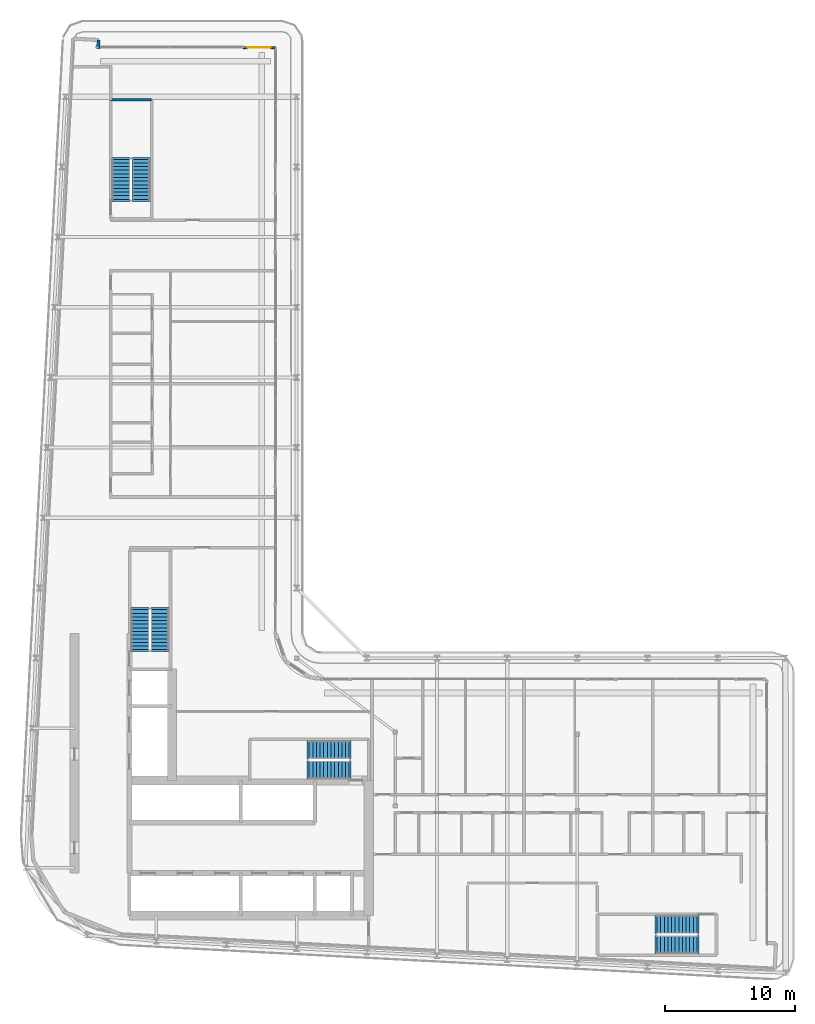
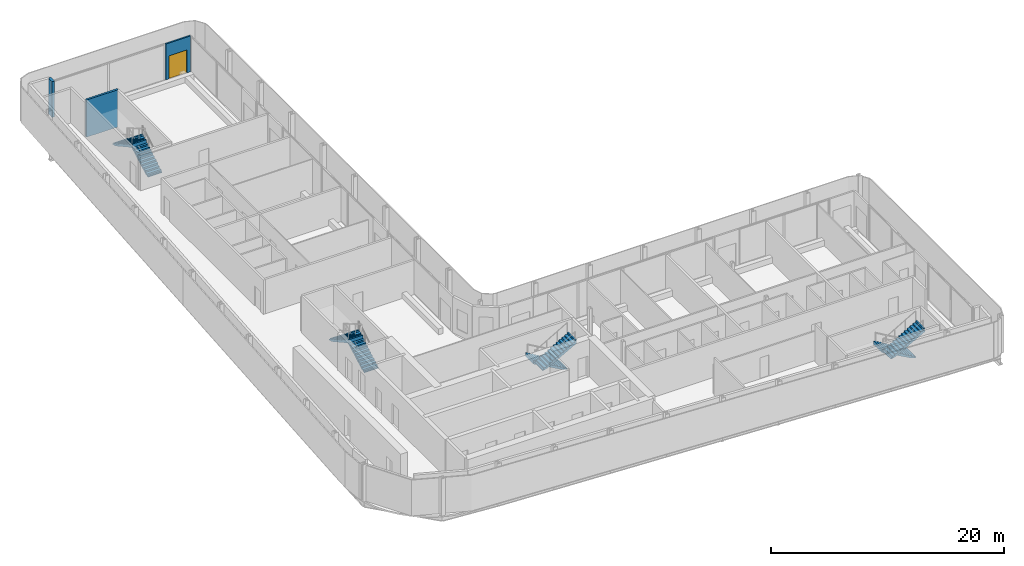
# One storey, part 14 of 21: 8 stair flights, 3 walls, 1 door, 1 opening, 4 elements without a shape of their own.
"""IFC4 building model written with IfcOpenShell, lengths in metres."""

from ifc_helpers import new_model, si_unit, direction, frame, frame_2d, origin, place, context, subcontext, project, spatial, polyline, rectangle, outline, extrude, source, transform, mapped, material, layer, layer_set, type_object, element, fill, aggregate, save


model = new_model("IFC4")

# Units and contexts
model_context = context("Model", 3, precision=1e-05, world=origin(), true_north=direction((0.0, 1.0)))
body_context = subcontext(model_context, "Body", "Model", "MODEL_VIEW")
ifc_project = project(units=[si_unit("LENGTHUNIT", "METRE"), si_unit("AREAUNIT", "SQUARE_METRE"), si_unit("VOLUMEUNIT", "CUBIC_METRE"), si_unit("PLANEANGLEUNIT", "RADIAN"), si_unit("MASSUNIT", "GRAM", prefix="KILO")], contexts=[model_context])

# Site, building, storey
site_placement = place(None, origin())
site = spatial("IfcSite", under=ifc_project, at=site_placement, CompositionType="ELEMENT")
building_placement = place(site_placement, origin())
building = spatial("IfcBuilding", under=site, at=building_placement, Name="Kheshtan School and Residences Tower", CompositionType="ELEMENT")
storey_placement = place(building_placement, frame((0.0, 0.0, 231.800048828125)))
storey = spatial("IfcBuildingStorey", under=building, at=storey_placement, Name="L54", CompositionType="ELEMENT", Elevation=231.800048828125)

# Wall
ifc_material_1 = material(Name="Concrete C40/50 with ceramic cladding and mineral wool insulation", Category="concrete")
ifc_layer_1 = layer(ifc_material_1, 0.25)
ifc_layer_set_1 = layer_set([ifc_layer_1], Name="External wall 250 ceramic clad")
wall_type_1 = type_object("IfcWallType", Name="External wall 250 ceramic clad", PredefinedType="SOLIDWALL", material=ifc_layer_set_1)
wall_1_placement = place(storey_placement, frame((32.368896484375, 93.159912109375, 0.0), z_axis=(0.0, 0.0, 1.0), x_axis=(-0.053729014033, -0.998555553312, 0.0)))
element("IfcWall", 1, at=wall_1_placement, inside=storey, type_object=wall_type_1, Name="External wall L54 2", PredefinedType="SOLIDWALL", context=body_context, shape_type="SweptSolid", body=[
    extrude(rectangle(XDim=0.66796875, YDim=0.25, at=frame_2d((0.333984375, 0.0))), origin(), (0.0, 0.0, 1.0), 3.75),
])

# Wall, opening, door
ifc_material_2 = material(Name="Aluminium frame wall with insulated infill", Category="aluminium")
ifc_layer_2 = layer(ifc_material_2, 0.14990234375)
ifc_layer_set_2 = layer_set([ifc_layer_2], Name="Glazing frame wall 150")
wall_type_2 = type_object("IfcWallType", Name="Glazing frame wall 150", PredefinedType="SOLIDWALL", material=ifc_layer_set_2)
wall_2_placement = place(storey_placement, frame((43.5, 92.574951171875, 0.0), z_axis=(0.0, 0.0, 1.0), x_axis=(1.0, 0.0, 0.0)))
wall_2 = element("IfcWall", 2, at=wall_2_placement, inside=storey, type_object=wall_type_2, Name="Balcony door wall L54 3.1", PredefinedType="SOLIDWALL", context=body_context, shape_type="SweptSolid", body=[
    extrude(rectangle(XDim=2.470947265625, YDim=0.14990234375, at=frame_2d((1.2353515625, 0.0))), origin(), (0.0, 0.0, 1.0), 3.75),
])
opening_placement = place(wall_2_placement, frame((0.300048828125, 0.0, 0.0)))
opening = element("IfcOpeningElement", 3, at=opening_placement, cuts=wall_2, Name="Opening BD", PredefinedType="OPENING", context=body_context, shape_type="SweptSolid", body=[
    extrude(rectangle(XDim=1.800048828125, YDim=2.39990234375, at=frame_2d((0.89990234375, 1.199951171875))), frame((0.0, 0.0849609375, 0.0), z_axis=(0.0, -1.0, 0.0), x_axis=(1.0, 0.0, 0.0)), (0.0, 0.0, 1.0), 0.169921875),
])
ifc_material_3 = material(Name="Clear low-e glass in thermally broken aluminium frame", Category="aluminium")
door_type = type_object("IfcDoorType", Name="Balcony sliding door", OperationType="SLIDING_TO_LEFT", PredefinedType="DOOR", material=ifc_material_3)
shared_shape = source(origin(), body_context, "Body", "SweptSolid", [
    extrude(rectangle(XDim=1.800048828125, YDim=2.39990234375, at=frame_2d((0.89990234375, 1.199951171875))), frame((0.0, 0.02490234375, 0.0), z_axis=(0.0, -1.0, 0.0), x_axis=(1.0, 0.0, 0.0)), (0.0, 0.0, 1.0), 0.050048828125),
])
door_placement = place(opening_placement, origin())
door = element("IfcDoor", 4, at=door_placement, inside=storey, type_object=door_type, Name="Balcony door L54 3.1", OperationType="SLIDING_TO_LEFT", OverallHeight=2.39990234375, OverallWidth=1.800048828125, PredefinedType="DOOR", context=body_context, shape_type="MappedRepresentation", body=[
    mapped(shared_shape, transform((0.0, 0.0, 0.0), x_axis=(1.0, 0.0, 0.0), y_axis=(0.0, 1.0, 0.0), z_axis=(0.0, 0.0, 1.0), scale=1.0)),
])
fill(opening, door)

# Wall
ifc_material_4 = material(Name="Concrete C40/50", Category="concrete")
ifc_layer_3 = layer(ifc_material_4, 0.199951171875)
ifc_layer_set_3 = layer_set([ifc_layer_3], Name="Stair enclosure wall 200 Concrete C40/50")
wall_type_3 = type_object("IfcWallType", Name="Stair enclosure wall 200 Concrete C40/50", PredefinedType="SHEAR", material=ifc_layer_set_3)
wall_3_placement = place(storey_placement, frame((33.300048828125, 88.56005859375, 0.0), z_axis=(0.0, 0.0, 1.0), x_axis=(1.0, 0.0, 0.0)))
element("IfcWall", 5, at=wall_3_placement, inside=storey, type_object=wall_type_3, Name="Stair enclosure wall ST3", PredefinedType="SHEAR", context=body_context, shape_type="SweptSolid", body=[
    extrude(rectangle(XDim=3.14990234375, YDim=0.199951171875, at=frame_2d((1.574951171875, 0.0))), origin(), (0.0, 0.0, 1.0), 3.89990234375),
])

# Stair, stair flights
stair_type = type_object("IfcStairType", Name="Exit stair, half-turn", PredefinedType="HALF_TURN_STAIR", material=ifc_material_4)
stair_1_placement = place(storey_placement, origin())
stair_1 = element("IfcStair", 6, at=stair_1_placement, inside=storey, type_object=stair_type, Name="L54 Protected Exit Stair ST1", PredefinedType="HALF_TURN_STAIR")
ifc_layer_4 = layer(ifc_material_4, 0.14990234375)
ifc_layer_set_4 = layer_set([ifc_layer_4], Name="Stair flight 1400 Concrete C40/50")
stair_flight_type = type_object("IfcStairFlightType", Name="Stair flight 1400 Concrete C40/50", PredefinedType="STRAIGHT", material=ifc_layer_set_4)
stair_flight_1_placement = place(storey_placement, frame((51.64990234375, 38.550048828125, 0.0), z_axis=(0.0, 0.0, 1.0), x_axis=(-1.0, 0.0, 0.0)))
stair_flight_1 = element("IfcStairFlight", 7, at=stair_flight_1_placement, type_object=stair_flight_type, Name="ST1 flight 1", NumberOfRisers=12, NumberOfTreads=11, PredefinedType="STRAIGHT", RiserHeight=0.1625, TreadLength=0.28, context=body_context, shape_type="SweptSolid", body=[
    extrude(outline(polyline([(-0.14990234375, -0.10009765625), (-0.14990234375, 0.0), (0.0, 0.0), (0.0, 0.16259765625), (0.280029296875, 0.16259765625), (0.280029296875, 0.324951171875), (0.56005859375, 0.324951171875), (0.56005859375, 0.487548828125), (0.840087890625, 0.487548828125), (0.840087890625, 0.64990234375), (1.1201171875, 0.64990234375), (1.1201171875, 0.8125), (1.39990234375, 0.8125), (1.39990234375, 0.97509765625), (1.679931640625, 0.97509765625), (1.679931640625, 1.137451171875), (1.9599609375, 1.137451171875), (1.9599609375, 1.300048828125), (2.239990234375, 1.300048828125), (2.239990234375, 1.46240234375), (2.52001953125, 1.46240234375), (2.52001953125, 1.625), (2.800048828125, 1.625), (2.800048828125, 1.78759765625), (3.080078125, 1.78759765625), (3.080078125, 1.949951171875), (3.080078125, 1.969970703125), (3.22998046875, 1.969970703125), (3.22998046875, 1.6142578125), (0.298583984375, 0.0), (-0.14990234375, -0.10009765625)])), frame((0.0, 0.699951171875, 0.0), z_axis=(0.0, -1.0, 0.0), x_axis=(1.0, 0.0, 0.0)), (0.0, 0.0, 1.0), 1.39990234375),
])
stair_flight_2_placement = place(storey_placement, frame((48.570068359375, 37.0, 1.949951171875), z_axis=(0.0, 0.0, 1.0), x_axis=(1.0, 0.0, 0.0)))
stair_flight_2 = element("IfcStairFlight", 8, at=stair_flight_2_placement, type_object=stair_flight_type, Name="ST1 flight 2", NumberOfRisers=12, NumberOfTreads=11, PredefinedType="STRAIGHT", RiserHeight=0.1625, TreadLength=0.28, context=body_context, shape_type="SweptSolid", body=[
    extrude(outline(polyline([(-0.14990234375, -0.10009765625), (-0.14990234375, 0.0), (0.0, 0.0), (0.0, 0.16259765625), (0.280029296875, 0.16259765625), (0.280029296875, 0.324951171875), (0.56005859375, 0.324951171875), (0.56005859375, 0.487548828125), (0.840087890625, 0.487548828125), (0.840087890625, 0.64990234375), (1.1201171875, 0.64990234375), (1.1201171875, 0.8125), (1.39990234375, 0.8125), (1.39990234375, 0.97509765625), (1.679931640625, 0.97509765625), (1.679931640625, 1.137451171875), (1.9599609375, 1.137451171875), (1.9599609375, 1.300048828125), (2.239990234375, 1.300048828125), (2.239990234375, 1.46240234375), (2.52001953125, 1.46240234375), (2.52001953125, 1.625), (2.800048828125, 1.625), (2.800048828125, 1.78759765625), (3.080078125, 1.78759765625), (3.080078125, 1.949951171875), (3.080078125, 1.969970703125), (3.22998046875, 1.969970703125), (3.22998046875, 1.6142578125), (0.298583984375, 0.0), (-0.14990234375, -0.10009765625)])), frame((0.0, 0.699951171875, 0.0), z_axis=(0.0, -1.0, 0.0), x_axis=(1.0, 0.0, 0.0)), (0.0, 0.0, 1.0), 1.39990234375),
])
aggregate(stair_1, [stair_flight_1, stair_flight_2])

stair_2_placement = place(storey_placement, origin())
stair_2 = element("IfcStair", 9, at=stair_2_placement, inside=storey, type_object=stair_type, Name="L54 Protected Exit Stair ST2", PredefinedType="HALF_TURN_STAIR")
stair_flight_3_placement = place(storey_placement, frame((37.10009765625, 46.25, 0.0), z_axis=(0.0, 0.0, 1.0), x_axis=(0.0, 1.0, 0.0)))
stair_flight_3 = element("IfcStairFlight", 10, at=stair_flight_3_placement, type_object=stair_flight_type, Name="ST2 flight 1", NumberOfRisers=12, NumberOfTreads=11, PredefinedType="STRAIGHT", RiserHeight=0.1625, TreadLength=0.28, context=body_context, shape_type="SweptSolid", body=[
    extrude(outline(polyline([(-0.14990234375, -0.10009765625), (-0.14990234375, 0.0), (0.0, 0.0), (0.0, 0.16259765625), (0.280029296875, 0.16259765625), (0.280029296875, 0.324951171875), (0.56005859375, 0.324951171875), (0.56005859375, 0.487548828125), (0.840087890625, 0.487548828125), (0.840087890625, 0.64990234375), (1.1201171875, 0.64990234375), (1.1201171875, 0.8125), (1.39990234375, 0.8125), (1.39990234375, 0.97509765625), (1.679931640625, 0.97509765625), (1.679931640625, 1.137451171875), (1.9599609375, 1.137451171875), (1.9599609375, 1.300048828125), (2.239990234375, 1.300048828125), (2.239990234375, 1.46240234375), (2.52001953125, 1.46240234375), (2.52001953125, 1.625), (2.800048828125, 1.625), (2.800048828125, 1.78759765625), (3.080078125, 1.78759765625), (3.080078125, 1.949951171875), (3.080078125, 1.969970703125), (3.22998046875, 1.969970703125), (3.22998046875, 1.6142578125), (0.298583984375, 0.0), (-0.14990234375, -0.10009765625)])), frame((0.0, 0.699951171875, 0.0), z_axis=(0.0, -1.0, 0.0), x_axis=(1.0, 0.0, 0.0)), (0.0, 0.0, 1.0), 1.39990234375),
])
stair_flight_4_placement = place(storey_placement, frame((35.550048828125, 49.330078125, 1.949951171875), z_axis=(0.0, 0.0, 1.0), x_axis=(0.0, -1.0, 0.0)))
stair_flight_4 = element("IfcStairFlight", 11, at=stair_flight_4_placement, type_object=stair_flight_type, Name="ST2 flight 2", NumberOfRisers=12, NumberOfTreads=11, PredefinedType="STRAIGHT", RiserHeight=0.1625, TreadLength=0.28, context=body_context, shape_type="SweptSolid", body=[
    extrude(outline(polyline([(-0.14990234375, -0.10009765625), (-0.14990234375, 0.0), (0.0, 0.0), (0.0, 0.16259765625), (0.280029296875, 0.16259765625), (0.280029296875, 0.324951171875), (0.56005859375, 0.324951171875), (0.56005859375, 0.487548828125), (0.840087890625, 0.487548828125), (0.840087890625, 0.64990234375), (1.1201171875, 0.64990234375), (1.1201171875, 0.8125), (1.39990234375, 0.8125), (1.39990234375, 0.97509765625), (1.679931640625, 0.97509765625), (1.679931640625, 1.137451171875), (1.9599609375, 1.137451171875), (1.9599609375, 1.300048828125), (2.239990234375, 1.300048828125), (2.239990234375, 1.46240234375), (2.52001953125, 1.46240234375), (2.52001953125, 1.625), (2.800048828125, 1.625), (2.800048828125, 1.78759765625), (3.080078125, 1.78759765625), (3.080078125, 1.949951171875), (3.080078125, 1.969970703125), (3.22998046875, 1.969970703125), (3.22998046875, 1.6142578125), (0.298583984375, 0.0), (-0.14990234375, -0.10009765625)])), frame((0.0, 0.699951171875, 0.0), z_axis=(0.0, -1.0, 0.0), x_axis=(1.0, 0.0, 0.0)), (0.0, 0.0, 1.0), 1.39990234375),
])
aggregate(stair_2, [stair_flight_3, stair_flight_4])

stair_3_placement = place(storey_placement, origin())
stair_3 = element("IfcStair", 12, at=stair_3_placement, inside=storey, type_object=stair_type, Name="L54 Protected Exit Stair ST3", PredefinedType="HALF_TURN_STAIR")
stair_flight_5_placement = place(storey_placement, frame((35.64990234375, 80.89990234375, 0.0), z_axis=(0.0, 0.0, 1.0), x_axis=(0.0, 1.0, 0.0)))
stair_flight_5 = element("IfcStairFlight", 13, at=stair_flight_5_placement, type_object=stair_flight_type, Name="ST3 flight 1", NumberOfRisers=12, NumberOfTreads=11, PredefinedType="STRAIGHT", RiserHeight=0.1625, TreadLength=0.28, context=body_context, shape_type="SweptSolid", body=[
    extrude(outline(polyline([(-0.14990234375, -0.10009765625), (-0.14990234375, 0.0), (0.0, 0.0), (0.0, 0.16259765625), (0.280029296875, 0.16259765625), (0.280029296875, 0.324951171875), (0.56005859375, 0.324951171875), (0.56005859375, 0.487548828125), (0.840087890625, 0.487548828125), (0.840087890625, 0.64990234375), (1.1201171875, 0.64990234375), (1.1201171875, 0.8125), (1.39990234375, 0.8125), (1.39990234375, 0.97509765625), (1.679931640625, 0.97509765625), (1.679931640625, 1.137451171875), (1.9599609375, 1.137451171875), (1.9599609375, 1.300048828125), (2.239990234375, 1.300048828125), (2.239990234375, 1.46240234375), (2.52001953125, 1.46240234375), (2.52001953125, 1.625), (2.800048828125, 1.625), (2.800048828125, 1.78759765625), (3.080078125, 1.78759765625), (3.080078125, 1.949951171875), (3.080078125, 1.969970703125), (3.22998046875, 1.969970703125), (3.22998046875, 1.6142578125), (0.298583984375, 0.0), (-0.14990234375, -0.10009765625)])), frame((0.0, 0.699951171875, 0.0), z_axis=(0.0, -1.0, 0.0), x_axis=(1.0, 0.0, 0.0)), (0.0, 0.0, 1.0), 1.39990234375),
])
stair_flight_6_placement = place(storey_placement, frame((34.10009765625, 83.97998046875, 1.949951171875), z_axis=(0.0, 0.0, 1.0), x_axis=(0.0, -1.0, 0.0)))
stair_flight_6 = element("IfcStairFlight", 14, at=stair_flight_6_placement, type_object=stair_flight_type, Name="ST3 flight 2", NumberOfRisers=12, NumberOfTreads=11, PredefinedType="STRAIGHT", RiserHeight=0.1625, TreadLength=0.28, context=body_context, shape_type="SweptSolid", body=[
    extrude(outline(polyline([(-0.14990234375, -0.10009765625), (-0.14990234375, 0.0), (0.0, 0.0), (0.0, 0.16259765625), (0.280029296875, 0.16259765625), (0.280029296875, 0.324951171875), (0.56005859375, 0.324951171875), (0.56005859375, 0.487548828125), (0.840087890625, 0.487548828125), (0.840087890625, 0.64990234375), (1.1201171875, 0.64990234375), (1.1201171875, 0.8125), (1.39990234375, 0.8125), (1.39990234375, 0.97509765625), (1.679931640625, 0.97509765625), (1.679931640625, 1.137451171875), (1.9599609375, 1.137451171875), (1.9599609375, 1.300048828125), (2.239990234375, 1.300048828125), (2.239990234375, 1.46240234375), (2.52001953125, 1.46240234375), (2.52001953125, 1.625), (2.800048828125, 1.625), (2.800048828125, 1.78759765625), (3.080078125, 1.78759765625), (3.080078125, 1.949951171875), (3.080078125, 1.969970703125), (3.22998046875, 1.969970703125), (3.22998046875, 1.6142578125), (0.298583984375, 0.0), (-0.14990234375, -0.10009765625)])), frame((0.0, 0.699951171875, 0.0), z_axis=(0.0, -1.0, 0.0), x_axis=(1.0, 0.0, 0.0)), (0.0, 0.0, 1.0), 1.39990234375),
])
aggregate(stair_3, [stair_flight_5, stair_flight_6])

stair_4_placement = place(storey_placement, origin())
stair_4 = element("IfcStair", 15, at=stair_4_placement, inside=storey, type_object=stair_type, Name="L54 Protected Exit Stair ST5", PredefinedType="HALF_TURN_STAIR")
stair_flight_7_placement = place(storey_placement, frame((78.409912109375, 25.10009765625, 0.0), z_axis=(0.0, 0.0, 1.0), x_axis=(-1.0, 0.0, 0.0)))
stair_flight_7 = element("IfcStairFlight", 16, at=stair_flight_7_placement, type_object=stair_flight_type, Name="ST5 flight 1", NumberOfRisers=12, NumberOfTreads=11, PredefinedType="STRAIGHT", RiserHeight=0.1625, TreadLength=0.28, context=body_context, shape_type="SweptSolid", body=[
    extrude(outline(polyline([(-0.14990234375, -0.10009765625), (-0.14990234375, 0.0), (0.0, 0.0), (0.0, 0.16259765625), (0.280029296875, 0.16259765625), (0.280029296875, 0.324951171875), (0.56005859375, 0.324951171875), (0.56005859375, 0.487548828125), (0.840087890625, 0.487548828125), (0.840087890625, 0.64990234375), (1.1201171875, 0.64990234375), (1.1201171875, 0.8125), (1.39990234375, 0.8125), (1.39990234375, 0.97509765625), (1.679931640625, 0.97509765625), (1.679931640625, 1.137451171875), (1.9599609375, 1.137451171875), (1.9599609375, 1.300048828125), (2.239990234375, 1.300048828125), (2.239990234375, 1.46240234375), (2.52001953125, 1.46240234375), (2.52001953125, 1.625), (2.800048828125, 1.625), (2.800048828125, 1.78759765625), (3.080078125, 1.78759765625), (3.080078125, 1.949951171875), (3.080078125, 1.969970703125), (3.22998046875, 1.969970703125), (3.22998046875, 1.6142578125), (0.298583984375, 0.0), (-0.14990234375, -0.10009765625)])), frame((0.0, 0.699951171875, 0.0), z_axis=(0.0, -1.0, 0.0), x_axis=(1.0, 0.0, 0.0)), (0.0, 0.0, 1.0), 1.39990234375),
])
stair_flight_8_placement = place(storey_placement, frame((75.330078125, 23.550048828125, 1.949951171875), z_axis=(0.0, 0.0, 1.0), x_axis=(1.0, 0.0, 0.0)))
stair_flight_8 = element("IfcStairFlight", 17, at=stair_flight_8_placement, type_object=stair_flight_type, Name="ST5 flight 2", NumberOfRisers=12, NumberOfTreads=11, PredefinedType="STRAIGHT", RiserHeight=0.1625, TreadLength=0.28, context=body_context, shape_type="SweptSolid", body=[
    extrude(outline(polyline([(-0.14990234375, -0.10009765625), (-0.14990234375, 0.0), (0.0, 0.0), (0.0, 0.16259765625), (0.280029296875, 0.16259765625), (0.280029296875, 0.324951171875), (0.56005859375, 0.324951171875), (0.56005859375, 0.487548828125), (0.840087890625, 0.487548828125), (0.840087890625, 0.64990234375), (1.1201171875, 0.64990234375), (1.1201171875, 0.8125), (1.39990234375, 0.8125), (1.39990234375, 0.97509765625), (1.679931640625, 0.97509765625), (1.679931640625, 1.137451171875), (1.9599609375, 1.137451171875), (1.9599609375, 1.300048828125), (2.239990234375, 1.300048828125), (2.239990234375, 1.46240234375), (2.52001953125, 1.46240234375), (2.52001953125, 1.625), (2.800048828125, 1.625), (2.800048828125, 1.78759765625), (3.080078125, 1.78759765625), (3.080078125, 1.949951171875), (3.080078125, 1.969970703125), (3.22998046875, 1.969970703125), (3.22998046875, 1.6142578125), (0.298583984375, 0.0), (-0.14990234375, -0.10009765625)])), frame((0.0, 0.699951171875, 0.0), z_axis=(0.0, -1.0, 0.0), x_axis=(1.0, 0.0, 0.0)), (0.0, 0.0, 1.0), 1.39990234375),
])
aggregate(stair_4, [stair_flight_7, stair_flight_8])

save(model, "model.ifc")
